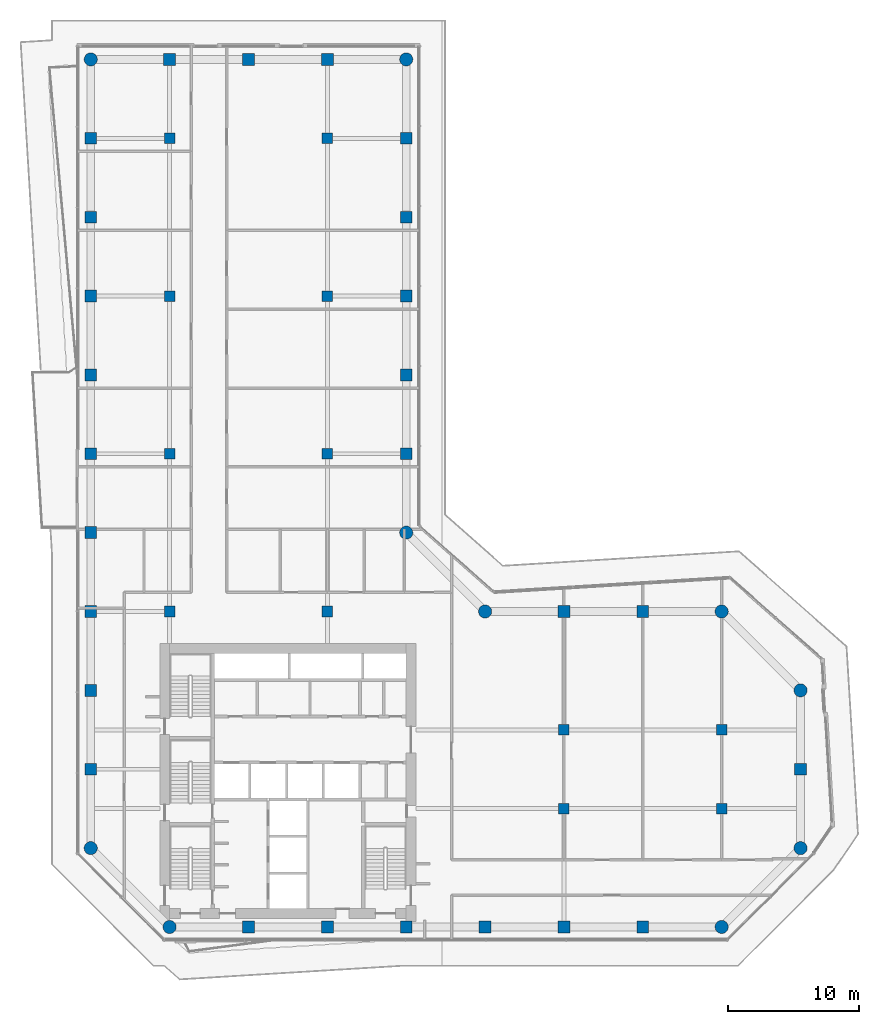
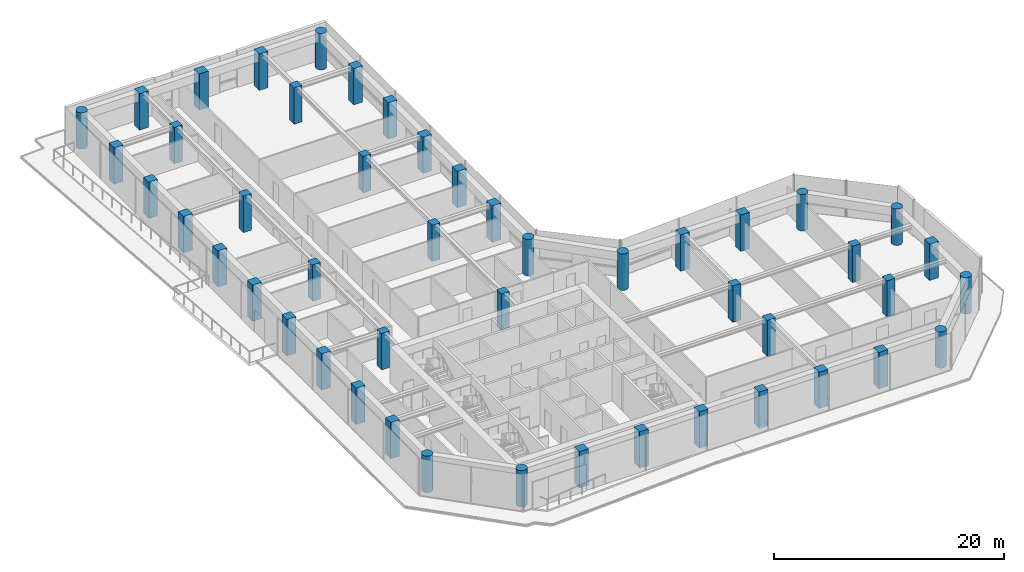
# One storey, part 1 of 23: 48 columns.
"""IFC4 building model written with IfcOpenShell, lengths in metres."""

from ifc_helpers import new_model, si_unit, direction, frame, origin, origin_2d, place, context, subcontext, project, spatial, rectangle, circle, extrude, material, material_profile, profile_set, type_object, element, save


model = new_model("IFC4")

# Units and contexts
model_context = context("Model", 3, precision=1e-05, world=origin(), true_north=direction((0.0, 1.0)))
body_context = subcontext(model_context, "Body", "Model", "MODEL_VIEW")
ifc_project = project(units=[si_unit("LENGTHUNIT", "METRE"), si_unit("AREAUNIT", "SQUARE_METRE"), si_unit("VOLUMEUNIT", "CUBIC_METRE"), si_unit("PLANEANGLEUNIT", "RADIAN"), si_unit("MASSUNIT", "GRAM", prefix="KILO")], contexts=[model_context])

# Site, building, storey
site_placement = place(None, origin())
site = spatial("IfcSite", under=ifc_project, at=site_placement, CompositionType="ELEMENT")
building_placement = place(site_placement, origin())
building = spatial("IfcBuilding", under=site, at=building_placement, Name="Welwitschia Terrace Campus", CompositionType="ELEMENT")
storey_placement = place(building_placement, frame((0.0, 0.0, 96.199951171875)))
storey = spatial("IfcBuildingStorey", under=building, at=storey_placement, Name="L21", CompositionType="ELEMENT", Elevation=96.199951171875)

# Columns
ifc_material_1 = material(Name="Concrete C60/75", Category="concrete")
ifc_material_profile_1 = material_profile(ifc_material_1, circle(Radius=0.5, at=origin_2d()))
ifc_profile_set_1 = profile_set([ifc_material_profile_1], Name="Concrete C60/75")
column_type_1 = type_object("IfcColumnType", Name="Corner column 1000 dia", PredefinedType="COLUMN", material=ifc_profile_set_1)
for number, where, z_axis, x_axis, name in (
    (1, (0.0, 10.0, 0.0), (0.0, 0.0, 1.0), (1.0, 0.0, 0.0), "Column C15"),
    (2, (0.0, 70.0, 0.0), (0.0, 0.0, 1.0), (1.0, 0.0, 0.0), "Column C15"),
    (3, (6.0, 4.0, 0.0), (0.0, 0.0, 1.0), (1.0, 0.0, 0.0), "Column C15"),
    (4, (24.0, 34.0, 0.0), (0.0, 0.0, 1.0), (1.0, 0.0, 0.0), "Column C15"),
    (5, (24.0, 70.0, 0.0), (0.0, 0.0, 1.0), (1.0, 0.0, 0.0), "Column C15"),
    (6, (30.0, 28.0, 0.0), (0.0, 0.0, 1.0), (1.0, 0.0, 0.0), "Column C15"),
    (7, (48.0, 4.0, 0.0), (0.0, 0.0, 1.0), (1.0, 0.0, 0.0), "Column C15"),
    (8, (48.0, 28.0, 0.0), (0.0, 0.0, 1.0), (1.0, 0.0, 0.0), "Column C15"),
    (9, (54.0, 10.0, 0.0), (0.0, 0.0, 1.0), (1.0, 0.0, 0.0), "Column C15"),
    (10, (54.0, 22.0, 0.0), (0.0, 0.0, 1.0), (1.0, 0.0, 0.0), "Column C15"),
):
    element("IfcColumn", number, at=place(storey_placement, frame(where, z_axis=z_axis, x_axis=x_axis)), inside=storey, type_object=column_type_1, Name=name, PredefinedType="COLUMN", context=body_context, shape_type="SweptSolid", body=[
        extrude(circle(Radius=0.5, at=origin_2d()), origin(), (0.0, 0.0, 1.0), 3.85009765625),
    ])
ifc_material_2 = material(Name="Concrete C60/75", Category="concrete")
ifc_material_profile_2 = material_profile(ifc_material_2, rectangle(XDim=0.800048828125, YDim=0.800048828125, at=origin_2d()))
ifc_profile_set_2 = profile_set([ifc_material_profile_2], Name="Concrete C60/75")
column_type_2 = type_object("IfcColumnType", Name="Interior column 800x800", PredefinedType="COLUMN", material=ifc_profile_set_2)
for number, where, z_axis, x_axis, name in (
    (11, (6.0, 28.0, 0.0), (0.0, 0.0, 1.0), (1.0, 0.0, 0.0), "Column C16"),
    (12, (6.0, 40.0, 0.0), (0.0, 0.0, 1.0), (1.0, 0.0, 0.0), "Column C16"),
    (13, (6.0, 52.0, 0.0), (0.0, 0.0, 1.0), (1.0, 0.0, 0.0), "Column C16"),
    (14, (6.0, 64.0, 0.0), (0.0, 0.0, 1.0), (1.0, 0.0, 0.0), "Column C16"),
    (15, (18.0, 28.0, 0.0), (0.0, 0.0, 1.0), (1.0, 0.0, 0.0), "Column C16"),
    (16, (18.0, 40.0, 0.0), (0.0, 0.0, 1.0), (1.0, 0.0, 0.0), "Column C16"),
    (17, (18.0, 52.0, 0.0), (0.0, 0.0, 1.0), (1.0, 0.0, 0.0), "Column C16"),
    (18, (18.0, 64.0, 0.0), (0.0, 0.0, 1.0), (1.0, 0.0, 0.0), "Column C16"),
    (19, (36.0, 13.0, 0.0), (0.0, 0.0, 1.0), (1.0, 0.0, 0.0), "Column C16"),
    (20, (36.0, 19.0, 0.0), (0.0, 0.0, 1.0), (1.0, 0.0, 0.0), "Column C16"),
    (21, (48.0, 13.0, 0.0), (0.0, 0.0, 1.0), (1.0, 0.0, 0.0), "Column C16"),
    (22, (48.0, 19.0, 0.0), (0.0, 0.0, 1.0), (1.0, 0.0, 0.0), "Column C16"),
):
    element("IfcColumn", number, at=place(storey_placement, frame(where, z_axis=z_axis, x_axis=x_axis)), inside=storey, type_object=column_type_2, Name=name, PredefinedType="COLUMN", context=body_context, shape_type="SweptSolid", body=[
        extrude(rectangle(XDim=0.800048828125, YDim=0.800048828125, at=origin_2d()), origin(), (0.0, 0.0, 1.0), 3.85009765625),
    ])
ifc_material_3 = material(Name="Concrete C60/75", Category="concrete")
ifc_material_profile_3 = material_profile(ifc_material_3, rectangle(XDim=0.89990234375, YDim=0.89990234375, at=origin_2d()))
ifc_profile_set_3 = profile_set([ifc_material_profile_3], Name="Concrete C60/75")
column_type_3 = type_object("IfcColumnType", Name="Ring column 900x900", PredefinedType="COLUMN", material=ifc_profile_set_3)
for number, where, z_axis, x_axis, name in (
    (23, (0.0, 16.0, 0.0), (0.0, 0.0, 1.0), (1.0, 0.0, 0.0), "Column C14"),
    (24, (0.0, 22.0, 0.0), (0.0, 0.0, 1.0), (1.0, 0.0, 0.0), "Column C14"),
    (25, (0.0, 28.0, 0.0), (0.0, 0.0, 1.0), (1.0, 0.0, 0.0), "Column C14"),
    (26, (0.0, 34.0, 0.0), (0.0, 0.0, 1.0), (1.0, 0.0, 0.0), "Column C14"),
    (27, (0.0, 40.0, 0.0), (0.0, 0.0, 1.0), (1.0, 0.0, 0.0), "Column C14"),
    (28, (0.0, 46.0, 0.0), (0.0, 0.0, 1.0), (1.0, 0.0, 0.0), "Column C14"),
    (29, (0.0, 52.0, 0.0), (0.0, 0.0, 1.0), (1.0, 0.0, 0.0), "Column C14"),
    (30, (0.0, 58.0, 0.0), (0.0, 0.0, 1.0), (1.0, 0.0, 0.0), "Column C14"),
    (31, (0.0, 64.0, 0.0), (0.0, 0.0, 1.0), (1.0, 0.0, 0.0), "Column C14"),
    (32, (6.0, 70.0, 0.0), (0.0, 0.0, 1.0), (1.0, 0.0, 0.0), "Column C14"),
    (33, (12.0, 4.0, 0.0), (0.0, 0.0, 1.0), (1.0, 0.0, 0.0), "Column C14"),
    (34, (12.0, 70.0, 0.0), (0.0, 0.0, 1.0), (1.0, 0.0, 0.0), "Column C14"),
    (35, (18.0, 4.0, 0.0), (0.0, 0.0, 1.0), (1.0, 0.0, 0.0), "Column C14"),
    (36, (18.0, 70.0, 0.0), (0.0, 0.0, 1.0), (1.0, 0.0, 0.0), "Column C14"),
    (37, (24.0, 4.0, 0.0), (0.0, 0.0, 1.0), (1.0, 0.0, 0.0), "Column C14"),
    (38, (24.0, 40.0, 0.0), (0.0, 0.0, 1.0), (1.0, 0.0, 0.0), "Column C14"),
    (39, (24.0, 46.0, 0.0), (0.0, 0.0, 1.0), (1.0, 0.0, 0.0), "Column C14"),
    (40, (24.0, 52.0, 0.0), (0.0, 0.0, 1.0), (1.0, 0.0, 0.0), "Column C14"),
    (41, (24.0, 58.0, 0.0), (0.0, 0.0, 1.0), (1.0, 0.0, 0.0), "Column C14"),
    (42, (24.0, 64.0, 0.0), (0.0, 0.0, 1.0), (1.0, 0.0, 0.0), "Column C14"),
    (43, (30.0, 4.0, 0.0), (0.0, 0.0, 1.0), (1.0, 0.0, 0.0), "Column C14"),
    (44, (36.0, 4.0, 0.0), (0.0, 0.0, 1.0), (1.0, 0.0, 0.0), "Column C14"),
    (45, (36.0, 28.0, 0.0), (0.0, 0.0, 1.0), (1.0, 0.0, 0.0), "Column C14"),
    (46, (42.0, 4.0, 0.0), (0.0, 0.0, 1.0), (1.0, 0.0, 0.0), "Column C14"),
    (47, (42.0, 28.0, 0.0), (0.0, 0.0, 1.0), (1.0, 0.0, 0.0), "Column C14"),
    (48, (54.0, 16.0, 0.0), (0.0, 0.0, 1.0), (1.0, 0.0, 0.0), "Column C14"),
):
    element("IfcColumn", number, at=place(storey_placement, frame(where, z_axis=z_axis, x_axis=x_axis)), inside=storey, type_object=column_type_3, Name=name, PredefinedType="COLUMN", context=body_context, shape_type="SweptSolid", body=[
        extrude(rectangle(XDim=0.89990234375, YDim=0.89990234375, at=origin_2d()), origin(), (0.0, 0.0, 1.0), 3.85009765625),
    ])

save(model, "model.ifc")
